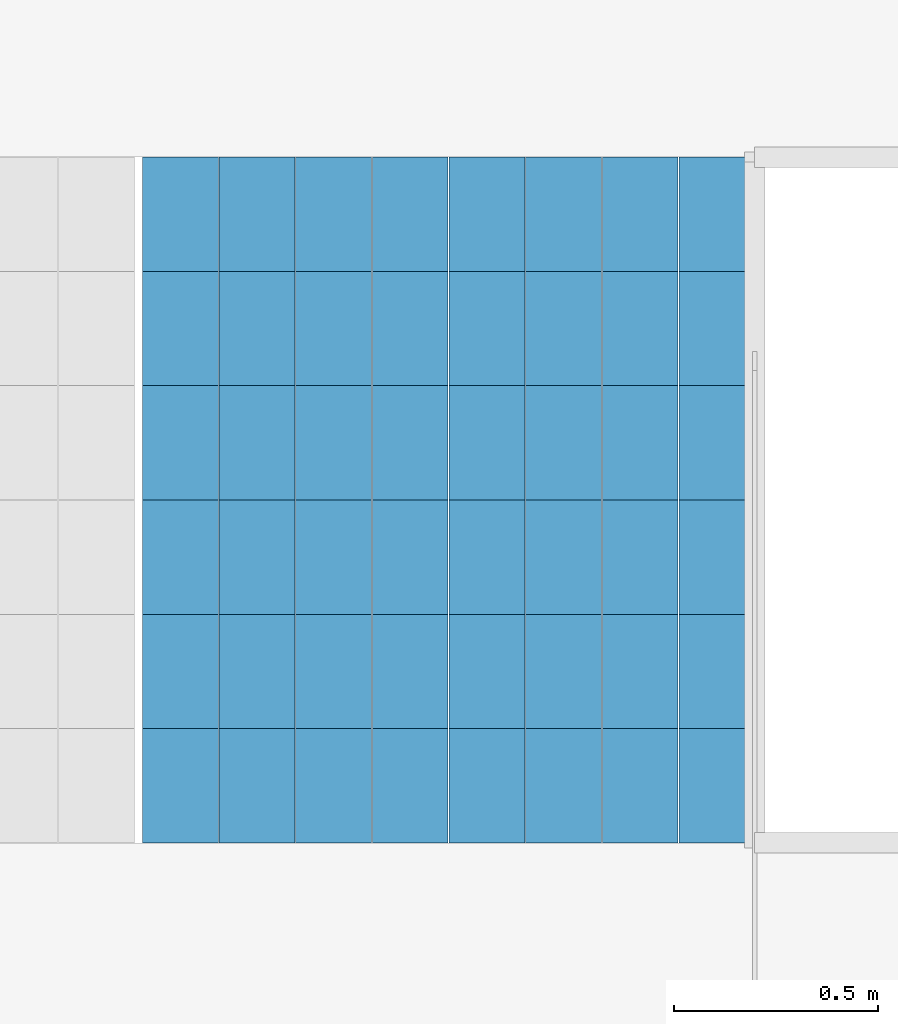
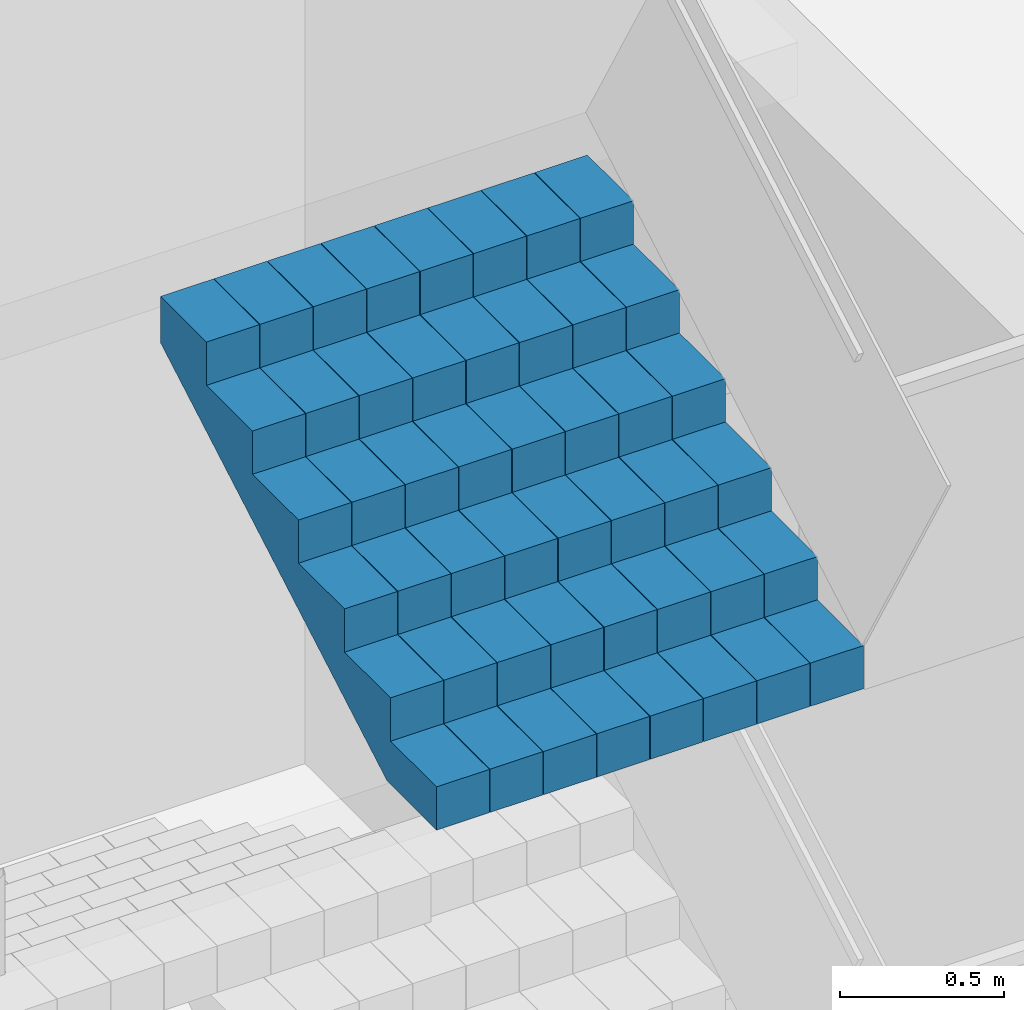
# One storey, part 24 of 27: 1 stair flight, 1 element without a shape of its own.
"""IFC4 building model written with IfcOpenShell, lengths in metres."""

from ifc_helpers import new_model, si_unit, direction, frame, origin, place, context, subcontext, project, spatial, polyline, outline, extrude, material, type_object, element, aggregate, save


model = new_model("IFC4")

# Units and contexts
model_context = context("Model", 3, precision=1e-05, world=origin(), true_north=direction((0.0, 1.0)))
body_context = subcontext(model_context, "Body", "Model", "MODEL_VIEW")
ifc_project = project(units=[si_unit("LENGTHUNIT", "METRE"), si_unit("AREAUNIT", "SQUARE_METRE"), si_unit("VOLUMEUNIT", "CUBIC_METRE"), si_unit("PLANEANGLEUNIT", "RADIAN"), si_unit("MASSUNIT", "GRAM", prefix="KILO")], contexts=[model_context])

# Site, building, storey
site_placement = place(None, origin())
site = spatial("IfcSite", under=ifc_project, at=site_placement, CompositionType="ELEMENT")
building_placement = place(site_placement, origin())
building = spatial("IfcBuilding", under=site, at=building_placement, Name="Kolab Exchange Tower", CompositionType="ELEMENT")
storey_placement = place(building_placement, frame((0.0, 0.0, 122.89990234375)))
storey = spatial("IfcBuildingStorey", under=building, at=storey_placement, Name="L24", CompositionType="ELEMENT", Elevation=122.89990234375)

# Stair, stair flight
ifc_material = material(Name="Concrete C50/60", Category="concrete")
stair_type = type_object("IfcStairType", Name="STAIR ST4 RISER 160.7", PredefinedType="DOUBLE_RETURN_STAIR", material=ifc_material)
stair_placement = place(storey_placement, origin())
stair = element("IfcStair", 1, at=stair_placement, inside=storey, type_object=stair_type, Name="Stair 4", PredefinedType="DOUBLE_RETURN_STAIR")
stair_flight_type = type_object("IfcStairFlightType", Name="STAIR FLIGHT 1500 RISER 160.7", PredefinedType="STRAIGHT", material=ifc_material)
stair_flight_placement = place(storey_placement, frame((19.9599609375, -1.030029296875, 3.375), z_axis=(0.0, 0.0, 1.0), x_axis=(0.0, 1.0, 0.0)))
stair_flight = element("IfcStairFlight", 2, at=stair_flight_placement, type_object=stair_flight_type, Name="ST4 flight 4", NumberOfRisers=7, NumberOfTreads=6, PredefinedType="STRAIGHT", RiserHeight=0.160714286, TreadLength=0.28, context=body_context, shape_type="SweptSolid", body=[
    extrude(outline(polyline([(0.0, 0.0), (0.0, 0.16064453125), (0.280029296875, 0.16064453125), (0.280029296875, 0.321533203125), (0.56005859375, 0.321533203125), (0.56005859375, 0.482177734375), (0.840087890625, 0.482177734375), (0.840087890625, 0.642822265625), (1.1201171875, 0.642822265625), (1.1201171875, 0.803466796875), (1.39990234375, 0.803466796875), (1.39990234375, 0.96435546875), (1.679931640625, 0.96435546875), (1.679931640625, 1.125), (1.679931640625, 0.79150390625), (0.301025390625, 0.0), (0.0, 0.0)])), frame((0.0, 0.75, 0.0), z_axis=(0.0, -1.0, 0.0), x_axis=(1.0, 0.0, 0.0)), (0.0, 0.0, 1.0), 0.185791015625),
    extrude(outline(polyline([(0.0, 0.0), (0.0, 0.16064453125), (0.280029296875, 0.16064453125), (0.280029296875, 0.321533203125), (0.56005859375, 0.321533203125), (0.56005859375, 0.482177734375), (0.840087890625, 0.482177734375), (0.840087890625, 0.642822265625), (1.1201171875, 0.642822265625), (1.1201171875, 0.803466796875), (1.39990234375, 0.803466796875), (1.39990234375, 0.96435546875), (1.679931640625, 0.96435546875), (1.679931640625, 1.125), (1.679931640625, 0.79150390625), (0.301025390625, 0.0), (0.0, 0.0)])), frame((0.0, 0.562255859375, 0.0), z_axis=(0.0, -1.0, 0.0), x_axis=(1.0, 0.0, 0.0)), (0.0, 0.0, 1.0), 0.185791015625),
    extrude(outline(polyline([(0.0, 0.0), (0.0, 0.16064453125), (0.280029296875, 0.16064453125), (0.280029296875, 0.321533203125), (0.56005859375, 0.321533203125), (0.56005859375, 0.482177734375), (0.840087890625, 0.482177734375), (0.840087890625, 0.642822265625), (1.1201171875, 0.642822265625), (1.1201171875, 0.803466796875), (1.39990234375, 0.803466796875), (1.39990234375, 0.96435546875), (1.679931640625, 0.96435546875), (1.679931640625, 1.125), (1.679931640625, 0.79150390625), (0.301025390625, 0.0), (0.0, 0.0)])), frame((0.0, 0.37451171875, 0.0), z_axis=(0.0, -1.0, 0.0), x_axis=(1.0, 0.0, 0.0)), (0.0, 0.0, 1.0), 0.185791015625),
    extrude(outline(polyline([(0.0, 0.0), (0.0, 0.16064453125), (0.280029296875, 0.16064453125), (0.280029296875, 0.321533203125), (0.56005859375, 0.321533203125), (0.56005859375, 0.482177734375), (0.840087890625, 0.482177734375), (0.840087890625, 0.642822265625), (1.1201171875, 0.642822265625), (1.1201171875, 0.803466796875), (1.39990234375, 0.803466796875), (1.39990234375, 0.96435546875), (1.679931640625, 0.96435546875), (1.679931640625, 1.125), (1.679931640625, 0.79150390625), (0.301025390625, 0.0), (0.0, 0.0)])), frame((0.0, 0.186767578125, 0.0), z_axis=(0.0, -1.0, 0.0), x_axis=(1.0, 0.0, 0.0)), (0.0, 0.0, 1.0), 0.185791015625),
    extrude(outline(polyline([(0.0, 0.0), (0.0, 0.16064453125), (0.280029296875, 0.16064453125), (0.280029296875, 0.321533203125), (0.56005859375, 0.321533203125), (0.56005859375, 0.482177734375), (0.840087890625, 0.482177734375), (0.840087890625, 0.642822265625), (1.1201171875, 0.642822265625), (1.1201171875, 0.803466796875), (1.39990234375, 0.803466796875), (1.39990234375, 0.96435546875), (1.679931640625, 0.96435546875), (1.679931640625, 1.125), (1.679931640625, 0.79150390625), (0.301025390625, 0.0), (0.0, 0.0)])), frame((0.0, -0.0009765625, 0.0), z_axis=(0.0, -1.0, 0.0), x_axis=(1.0, 0.0, 0.0)), (0.0, 0.0, 1.0), 0.185791015625),
    extrude(outline(polyline([(0.0, 0.0), (0.0, 0.16064453125), (0.280029296875, 0.16064453125), (0.280029296875, 0.321533203125), (0.56005859375, 0.321533203125), (0.56005859375, 0.482177734375), (0.840087890625, 0.482177734375), (0.840087890625, 0.642822265625), (1.1201171875, 0.642822265625), (1.1201171875, 0.803466796875), (1.39990234375, 0.803466796875), (1.39990234375, 0.96435546875), (1.679931640625, 0.96435546875), (1.679931640625, 1.125), (1.679931640625, 0.79150390625), (0.301025390625, 0.0), (0.0, 0.0)])), frame((0.0, -0.188720703125, 0.0), z_axis=(0.0, -1.0, 0.0), x_axis=(1.0, 0.0, 0.0)), (0.0, 0.0, 1.0), 0.185791015625),
    extrude(outline(polyline([(0.0, 0.0), (0.0, 0.16064453125), (0.280029296875, 0.16064453125), (0.280029296875, 0.321533203125), (0.56005859375, 0.321533203125), (0.56005859375, 0.482177734375), (0.840087890625, 0.482177734375), (0.840087890625, 0.642822265625), (1.1201171875, 0.642822265625), (1.1201171875, 0.803466796875), (1.39990234375, 0.803466796875), (1.39990234375, 0.96435546875), (1.679931640625, 0.96435546875), (1.679931640625, 1.125), (1.679931640625, 0.79150390625), (0.301025390625, 0.0), (0.0, 0.0)])), frame((0.0, -0.37646484375, 0.0), z_axis=(0.0, -1.0, 0.0), x_axis=(1.0, 0.0, 0.0)), (0.0, 0.0, 1.0), 0.185791015625),
    extrude(outline(polyline([(0.0, 0.0), (0.0, 0.16064453125), (0.280029296875, 0.16064453125), (0.280029296875, 0.321533203125), (0.56005859375, 0.321533203125), (0.56005859375, 0.482177734375), (0.840087890625, 0.482177734375), (0.840087890625, 0.642822265625), (1.1201171875, 0.642822265625), (1.1201171875, 0.803466796875), (1.39990234375, 0.803466796875), (1.39990234375, 0.96435546875), (1.679931640625, 0.96435546875), (1.679931640625, 1.125), (1.679931640625, 0.79150390625), (0.301025390625, 0.0), (0.0, 0.0)])), frame((0.0, -0.564208984375, 0.0), z_axis=(0.0, -1.0, 0.0), x_axis=(1.0, 0.0, 0.0)), (0.0, 0.0, 1.0), 0.185791015625),
])
aggregate(stair, [stair_flight])

save(model, "model.ifc")
